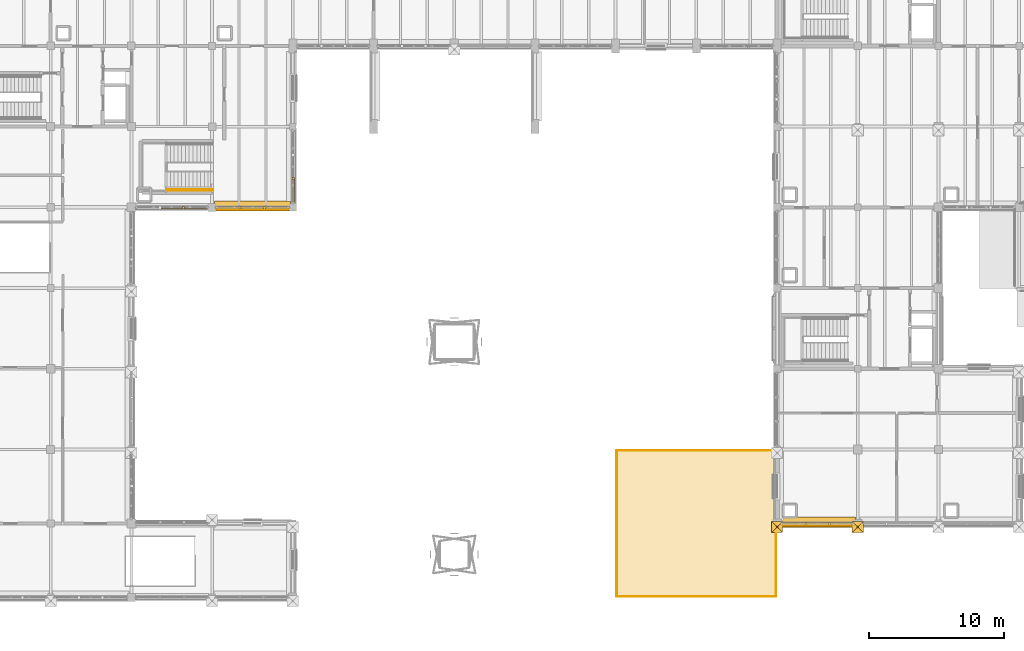
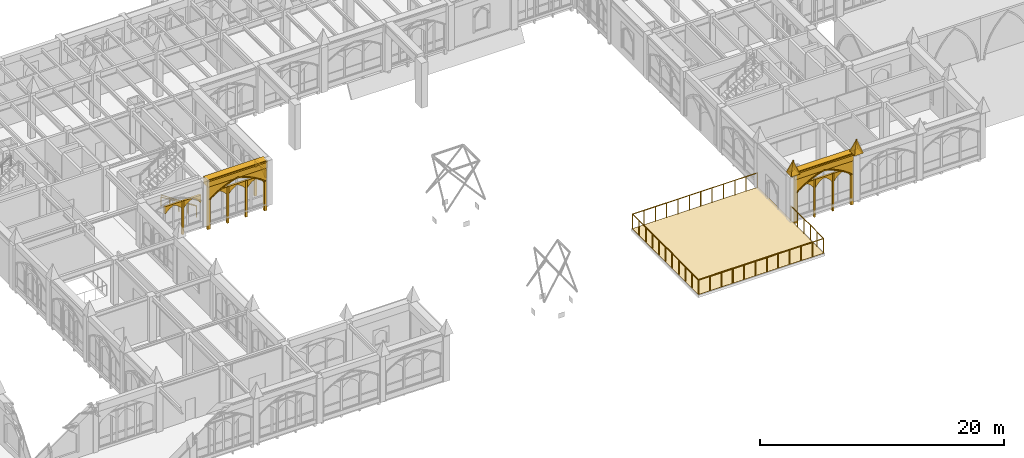
# One storey, part 127 of 143: 32 coverings, 6 railings.
"""IFC4 building model written with IfcOpenShell, lengths in metres."""

import ifcopenshell
import ifcopenshell.guid

model = None  # the IFC model being written
_history = None  # IfcOwnerHistory: only IFC2X3 demands one
_inside = {}  # id of a spatial element -> (the spatial element, [elements in it])
_under = {}  # id of a project, library or spatial element -> (it, [spatial elements below it])
_declared = {}  # id of a project -> (the project, [libraries it declares])
_typed = {}  # id of a type object -> (the type object, [elements of that type])
_made_of = {}  # id of a material, layer set ... -> (it, [elements and type objects made of it])


def new_model(schema):
    """Start an empty IFC model of exactly this schema.

    Asked for "IFC4X3", IfcOpenShell would pick the latest addendum, in which some entities
    have other attributes; the version numbers below select the first issue.
    IFC2X3 requires an IfcOwnerHistory on every rooted entity: one is made here for all.
    """
    global model, _history
    if schema == "IFC4X3":
        model = ifcopenshell.file(schema_version=(4, 3, 0, 0))
    else:
        model = ifcopenshell.file(schema=schema)
    _inside.clear()
    _under.clear()
    _declared.clear()
    _typed.clear()
    _made_of.clear()
    _history = None
    if model.schema == "IFC2X3":
        org = make("IfcOrganization", Name="unknown")
        user = make(
            "IfcPersonAndOrganization",
            ThePerson=make("IfcPerson", FamilyName="unknown"),
            TheOrganization=org,
        )
        app = make(
            "IfcApplication",
            ApplicationDeveloper=org,
            Version="unknown",
            ApplicationFullName="unknown",
            ApplicationIdentifier="unknown",
        )
        _history = make(
            "IfcOwnerHistory",
            OwningUser=user,
            OwningApplication=app,
            ChangeAction="ADDED",
            CreationDate=0,
        )
    return model


def make(cls, **values):
    """One entity of the class cls with the attributes given. An attribute that is None is left unset."""
    return model.create_entity(
        cls, **{name: value for name, value in values.items() if value is not None}
    )


def rooted(cls, **values):
    """An entity with a GlobalId (a new one), such as an element, a storey or a relation."""
    return make(cls, GlobalId=ifcopenshell.guid.new(), OwnerHistory=_history, **values)


def si_unit(unit_type, name, prefix=None):
    """IfcSIUnit, for example si_unit("LENGTHUNIT", "METRE", prefix="MILLI")."""
    return make("IfcSIUnit", UnitType=unit_type, Prefix=prefix, Name=name)


def assignment(units):
    """IfcUnitAssignment: the units of a project."""
    return None if units is None else make("IfcUnitAssignment", Units=units)


def point(xyz):
    """IfcCartesianPoint."""
    return None if xyz is None else make("IfcCartesianPoint", Coordinates=xyz)


def direction(xyz):
    """IfcDirection."""
    return None if xyz is None else make("IfcDirection", DirectionRatios=xyz)


def frame(location, z_axis=None, x_axis=None):
    """IfcAxis2Placement3D, a coordinate frame: its origin and axes. An axis left out is left unset."""
    return make(
        "IfcAxis2Placement3D",
        Location=point(location),
        Axis=direction(z_axis),
        RefDirection=direction(x_axis),
    )


def frame_2d(location, x_axis=None):
    """IfcAxis2Placement2D, a coordinate frame in the plane: its origin and x axis."""
    return make(
        "IfcAxis2Placement2D", Location=point(location), RefDirection=direction(x_axis)
    )


def origin():
    """The frame at (0, 0, 0) with its axes left unset."""
    return frame((0.0, 0.0, 0.0))


def origin_2d():
    """The frame at (0, 0) in the plane with its x axis left unset."""
    return frame_2d((0.0, 0.0))


def place(relative_to, where):
    """IfcLocalPlacement: puts the frame where relative to a parent placement (None: the world)."""
    return make(
        "IfcLocalPlacement", PlacementRelTo=relative_to, RelativePlacement=where
    )


def context(
    kind, dimensions, precision=None, world=None, true_north=None, identifier=None
):
    """IfcGeometricRepresentationContext, for example the 3D "Model" context."""
    return make(
        "IfcGeometricRepresentationContext",
        ContextIdentifier=identifier,
        ContextType=kind,
        CoordinateSpaceDimension=dimensions,
        Precision=precision,
        WorldCoordinateSystem=world,
        TrueNorth=true_north,
    )


def subcontext(parent, identifier, kind, view, scale=None):
    """IfcGeometricRepresentationSubContext, for example "Body" below "Model"."""
    return make(
        "IfcGeometricRepresentationSubContext",
        ContextIdentifier=identifier,
        ContextType=kind,
        ParentContext=parent,
        TargetScale=scale,
        TargetView=view,
    )


def project(units=None, contexts=None):
    """IfcProject with its units and contexts."""
    return rooted(
        "IfcProject",
        Name="project",
        RepresentationContexts=contexts,
        UnitsInContext=assignment(units),
    )


def spatial(cls, under=None, at=None, **own):
    """A site, building, storey or space (cls), placed at a placement, below another one or the project."""
    s = rooted(cls, ObjectPlacement=at, **own)
    if under is not None:
        _under.setdefault(under.id(), (under, []))[1].append(s)
    return s


def polyline(points):
    """IfcPolyline through the points."""
    return make("IfcPolyline", Points=[point(p) for p in points])


def profile(cls, at=None, kind="AREA", **sizes):
    """A parametric profile (cls). Its sizes go by their IFC names, for example OverallWidth=200.0."""
    return make(cls, ProfileType=kind, Position=at, **sizes)


def rectangle(**sizes):
    """IfcRectangleProfileDef."""
    return profile("IfcRectangleProfileDef", **sizes)


def circle(**sizes):
    """IfcCircleProfileDef."""
    return profile("IfcCircleProfileDef", **sizes)


def outline(outer, holes=None, kind="AREA"):
    """IfcArbitraryClosedProfileDef: a profile drawn as a closed curve; with holes, ...WithVoids."""
    if holes is None:
        return make("IfcArbitraryClosedProfileDef", ProfileType=kind, OuterCurve=outer)
    return make(
        "IfcArbitraryProfileDefWithVoids",
        ProfileType=kind,
        OuterCurve=outer,
        InnerCurves=holes,
    )


def extrude(swept, where, along, depth):
    """IfcExtrudedAreaSolid: the profile swept, set in the frame where, extruded along a direction by depth."""
    return make(
        "IfcExtrudedAreaSolid",
        SweptArea=swept,
        Position=where,
        ExtrudedDirection=direction(along),
        Depth=depth,
    )


def shape(context_of_items, identifier, shape_type, items):
    """IfcShapeRepresentation: the items that make up one representation, for example the "Body"."""
    return make(
        "IfcShapeRepresentation",
        ContextOfItems=context_of_items,
        RepresentationIdentifier=identifier,
        RepresentationType=shape_type,
        Items=items,
    )


def material(Name=None, Category=None):
    """IfcMaterial."""
    return make("IfcMaterial", Name=Name, Category=Category)


def made_of(thing, what):
    """Note that an element or type object is made of a material, layer set ...; save() writes the relation."""
    if what is not None:
        _made_of.setdefault(what.id(), (what, []))[1].append(thing)
    return thing


def type_object(cls, material=None, **own):
    """A type object (cls), such as IfcWallType, which elements share."""
    return made_of(rooted(cls, **own), material)


def element(
    cls,
    number,
    at=None,
    inside=None,
    cuts=None,
    type_object=None,
    material=None,
    context=None,
    identifier="Body",
    shape_type=None,
    held_by="IfcProductDefinitionShape",
    body=None,
    shapes=None,
    **own,
):
    """One element of the class cls, such as IfcWall. Its Tag is "e" and its number.

    at: its placement. inside: the storey or other place that contains it. cuts: it is an
    opening in that element (IfcRelVoidsElement). A single representation is given by context,
    identifier, shape_type and body (its items); several are given by shapes. held_by: the class
    of the entity that holds the representations. save() writes the other relations.
    """
    e = rooted(cls, Tag="e%d" % number, ObjectPlacement=at, **own)
    if body is not None:
        shapes = [shape(context, identifier, shape_type, body)]
    if shapes is not None:
        e.Representation = make(held_by, Representations=shapes)
    if inside is not None:
        _inside.setdefault(inside.id(), (inside, []))[1].append(e)
    if cuts is not None:
        rooted(
            "IfcRelVoidsElement", RelatingBuildingElement=cuts, RelatedOpeningElement=e
        )
    if type_object is not None:
        _typed.setdefault(type_object.id(), (type_object, []))[1].append(e)
    return made_of(e, material)


def aggregate(whole, parts):
    """IfcRelAggregates: a whole, such as a stair, and the parts it consists of."""
    return rooted("IfcRelAggregates", RelatingObject=whole, RelatedObjects=parts)


def save(model, path):
    """Write the relations noted so far, then the file.

    IfcRelAggregates (storeys below a building ...), IfcRelContainedInSpatialStructure (elements
    in a storey), IfcRelDefinesByType, IfcRelAssociatesMaterial and IfcRelDeclares: one each for
    every whole, place, type object, material and project.
    """
    for whole, parts in _under.values():
        aggregate(whole, parts)
    for where, things in _inside.values():
        rooted(
            "IfcRelContainedInSpatialStructure",
            RelatedElements=things,
            RelatingStructure=where,
        )
    for kind, things in _typed.values():
        rooted("IfcRelDefinesByType", RelatedObjects=things, RelatingType=kind)
    for what, things in _made_of.values():
        rooted("IfcRelAssociatesMaterial", RelatedObjects=things, RelatingMaterial=what)
    for by, libraries in _declared.values():
        rooted("IfcRelDeclares", RelatingContext=by, RelatedDefinitions=libraries)
    model.write(path)


model = new_model("IFC4")

# Units and contexts
model_context = context("Model", 3, precision=1e-05, world=origin(), true_north=direction((0.0, 1.0)))
body_context = subcontext(model_context, "Body", "Model", "MODEL_VIEW")
ifc_project = project(units=[si_unit("LENGTHUNIT", "METRE"), si_unit("AREAUNIT", "SQUARE_METRE"), si_unit("VOLUMEUNIT", "CUBIC_METRE"), si_unit("PLANEANGLEUNIT", "RADIAN"), si_unit("MASSUNIT", "GRAM", prefix="KILO")], contexts=[model_context])

# Site, building, storey
site_placement = place(None, origin())
site = spatial("IfcSite", under=ifc_project, at=site_placement, CompositionType="ELEMENT")
building_placement = place(site_placement, origin())
building = spatial("IfcBuilding", under=site, at=building_placement, Name="Cumevento Cable Car Station", CompositionType="ELEMENT")
storey_placement = place(building_placement, frame((0.0, 0.0, 9.0)))
storey = spatial("IfcBuildingStorey", under=building, at=storey_placement, Name="L03", CompositionType="ELEMENT", Elevation=9.0)

# Railings
ifc_material_1 = material(Name="Painted Galvanised Architectural Steel", Category="steel")
railing_type_1 = type_object("IfcRailingType", Name="Stair Guardrail GR-S115", PredefinedType="GUARDRAIL", material=ifc_material_1)
railing_1_placement = place(storey_placement, frame((75.97998046875, 34.260009765625, 0.0)))
element("IfcRailing", 1, at=railing_1_placement, inside=storey, type_object=railing_type_1, Name="Stair Outer Guardrail ST-11 F1", PredefinedType="GUARDRAIL", context=body_context, shape_type="SweptSolid", body=[
    extrude(circle(Radius=0.02392578125, at=origin_2d()), frame((0.0, 0.0, 1.1259765625), z_axis=(-0.830896709279, 0.0, 0.556426687452), x_axis=(0.0, -1.0, 0.0)), (0.0, 0.0, 1.0), 4.043701171875),
    extrude(circle(Radius=0.02001953125, at=origin_2d()), origin(), (0.0, 0.0, 1.0), 1.101806640625),
    extrude(circle(Radius=0.02001953125, at=origin_2d()), frame((-0.83984375, 0.0, 0.5625)), (0.0, 0.0, 1.0), 1.101806640625),
    extrude(circle(Radius=0.02001953125, at=origin_2d()), frame((-1.679931640625, 0.0, 1.125)), (0.0, 0.0, 1.0), 1.101806640625),
    extrude(circle(Radius=0.02001953125, at=origin_2d()), frame((-2.52001953125, 0.0, 1.6875)), (0.0, 0.0, 1.0), 1.101806640625),
    extrude(circle(Radius=0.02001953125, at=origin_2d()), frame((-3.35986328125, 0.0, 2.25)), (0.0, 0.0, 1.0), 1.101806640625),
])
ifc_material_2 = material(Name="Brushed Stainless Steel Handrail Tube", Category="steel")
railing_type_2 = type_object("IfcRailingType", Name="Stair Handrail HR-090", PredefinedType="HANDRAIL", material=ifc_material_2)
railing_2_placement = place(storey_placement, frame((75.97998046875, 34.340087890625, 0.17626953125)))
element("IfcRailing", 2, at=railing_2_placement, inside=storey, type_object=railing_type_2, Name="Stair Pitch Handrail ST-11 F1", PredefinedType="HANDRAIL", context=body_context, shape_type="SweptSolid", body=[
    extrude(circle(Radius=0.02099609375, at=origin_2d()), frame((0.0, 0.0, 0.87890625), z_axis=(-0.850606129759, 0.0, 0.525803396734), x_axis=(0.0, -1.0, 0.0)), (0.0, 0.0, 1.0), 3.949951171875),
    extrude(circle(Radius=0.01611328125, at=origin_2d()), origin(), (0.0, 0.0, 1.0), 0.85791015625),
    extrude(circle(Radius=0.01611328125, at=origin_2d()), frame((-0.83984375, 0.0, 0.519287109375)), (0.0, 0.0, 1.0), 0.85791015625),
    extrude(circle(Radius=0.01611328125, at=origin_2d()), frame((-1.679931640625, 0.0, 1.03857421875)), (0.0, 0.0, 1.0), 0.85791015625),
    extrude(circle(Radius=0.01611328125, at=origin_2d()), frame((-2.52001953125, 0.0, 1.5576171875)), (0.0, 0.0, 1.0), 0.85791015625),
    extrude(circle(Radius=0.01611328125, at=origin_2d()), frame((-3.35986328125, 0.0, 2.076904296875)), (0.0, 0.0, 1.0), 0.85791015625),
])
ifc_material_3 = material(Name="Painted Galvanised Architectural Steel", Category="steel")
railing_type_3 = type_object("IfcRailingType", Name="Terrace Guardrail GR-T150 1500", PredefinedType="GUARDRAIL", material=ifc_material_3)
for number, where, name in (
    (3, (106.080078125, 14.919921875, 0.0), "Panoramic Terrace Guardrail GR-T150 #7"),
    (4, (106.080078125, 4.080078125, 0.0), "Panoramic Terrace Guardrail GR-T150 #8"),
):
    element("IfcRailing", number, at=place(storey_placement, frame(where)), inside=storey, type_object=railing_type_3, Name=name, PredefinedType="GUARDRAIL", context=body_context, shape_type="SweptSolid", body=[
        extrude(circle(Radius=0.02490234375, at=origin_2d()), frame((0.0, 0.0, 1.47509765625), z_axis=(1.0, 0.0, 0.0), x_axis=(0.0, 1.0, 0.0)), (0.0, 0.0, 1.0), 11.83984375),
        extrude(circle(Radius=0.02099609375, at=origin_2d()), origin(), (0.0, 0.0, 1.0), 1.449951171875),
        extrude(circle(Radius=0.02099609375, at=origin_2d()), frame((1.076416015625, 0.0, 0.0)), (0.0, 0.0, 1.0), 1.449951171875),
        extrude(circle(Radius=0.02099609375, at=origin_2d()), frame((2.152587890625, 0.0, 0.0)), (0.0, 0.0, 1.0), 1.449951171875),
        extrude(circle(Radius=0.02099609375, at=origin_2d()), frame((3.22900390625, 0.0, 0.0)), (0.0, 0.0, 1.0), 1.449951171875),
        extrude(circle(Radius=0.02099609375, at=origin_2d()), frame((4.305419921875, 0.0, 0.0)), (0.0, 0.0, 1.0), 1.449951171875),
        extrude(circle(Radius=0.02099609375, at=origin_2d()), frame((5.3818359375, 0.0, 0.0)), (0.0, 0.0, 1.0), 1.449951171875),
        extrude(circle(Radius=0.02099609375, at=origin_2d()), frame((6.4580078125, 0.0, 0.0)), (0.0, 0.0, 1.0), 1.449951171875),
        extrude(circle(Radius=0.02099609375, at=origin_2d()), frame((7.534423828125, 0.0, 0.0)), (0.0, 0.0, 1.0), 1.449951171875),
        extrude(circle(Radius=0.02099609375, at=origin_2d()), frame((8.61083984375, 0.0, 0.0)), (0.0, 0.0, 1.0), 1.449951171875),
        extrude(circle(Radius=0.02099609375, at=origin_2d()), frame((9.687255859375, 0.0, 0.0)), (0.0, 0.0, 1.0), 1.449951171875),
        extrude(circle(Radius=0.02099609375, at=origin_2d()), frame((10.763427734375, 0.0, 0.0)), (0.0, 0.0, 1.0), 1.449951171875),
        extrude(circle(Radius=0.02099609375, at=origin_2d()), frame((11.83984375, 0.0, 0.0)), (0.0, 0.0, 1.0), 1.449951171875),
    ])
railing_3_placement = place(storey_placement, frame((106.080078125, 4.080078125, 0.0)))
element("IfcRailing", 5, at=railing_3_placement, inside=storey, type_object=railing_type_3, Name="Panoramic Terrace Guardrail GR-T150 #9", PredefinedType="GUARDRAIL", context=body_context, shape_type="SweptSolid", body=[
    extrude(circle(Radius=0.02490234375, at=origin_2d()), frame((0.0, 0.0, 1.47509765625), z_axis=(0.0, 1.0, 0.0), x_axis=(-1.0, 0.0, 0.0)), (0.0, 0.0, 1.0), 10.83984375),
    extrude(circle(Radius=0.02099609375, at=origin_2d()), origin(), (0.0, 0.0, 1.0), 1.449951171875),
    extrude(circle(Radius=0.02099609375, at=origin_2d()), frame((0.0, 1.083984375, 0.0)), (0.0, 0.0, 1.0), 1.449951171875),
    extrude(circle(Radius=0.02099609375, at=origin_2d()), frame((0.0, 2.16796875, 0.0)), (0.0, 0.0, 1.0), 1.449951171875),
    extrude(circle(Radius=0.02099609375, at=origin_2d()), frame((0.0, 3.251953125, 0.0)), (0.0, 0.0, 1.0), 1.449951171875),
    extrude(circle(Radius=0.02099609375, at=origin_2d()), frame((0.0, 4.3359375, 0.0)), (0.0, 0.0, 1.0), 1.449951171875),
    extrude(circle(Radius=0.02099609375, at=origin_2d()), frame((0.0, 5.419921875, 0.0)), (0.0, 0.0, 1.0), 1.449951171875),
    extrude(circle(Radius=0.02099609375, at=origin_2d()), frame((0.0, 6.50390625, 0.0)), (0.0, 0.0, 1.0), 1.449951171875),
    extrude(circle(Radius=0.02099609375, at=origin_2d()), frame((0.0, 7.587890625, 0.0)), (0.0, 0.0, 1.0), 1.449951171875),
    extrude(circle(Radius=0.02099609375, at=origin_2d()), frame((0.0, 8.671875, 0.0)), (0.0, 0.0, 1.0), 1.449951171875),
    extrude(circle(Radius=0.02099609375, at=origin_2d()), frame((0.0, 9.755859375, 0.0)), (0.0, 0.0, 1.0), 1.449951171875),
    extrude(circle(Radius=0.02099609375, at=origin_2d()), frame((0.0, 10.83984375, 0.0)), (0.0, 0.0, 1.0), 1.449951171875),
])
railing_4_placement = place(storey_placement, frame((117.919921875, 4.080078125, 0.0)))
element("IfcRailing", 6, at=railing_4_placement, inside=storey, type_object=railing_type_3, Name="Panoramic Terrace Guardrail GR-T150 #10", PredefinedType="GUARDRAIL", context=body_context, shape_type="SweptSolid", body=[
    extrude(circle(Radius=0.02490234375, at=origin_2d()), frame((0.0, 0.0, 1.47509765625), z_axis=(0.0, 1.0, 0.0), x_axis=(-1.0, 0.0, 0.0)), (0.0, 0.0, 1.0), 5.33984375),
    extrude(circle(Radius=0.02099609375, at=origin_2d()), origin(), (0.0, 0.0, 1.0), 1.449951171875),
    extrude(circle(Radius=0.02099609375, at=origin_2d()), frame((0.0, 1.06787109375, 0.0)), (0.0, 0.0, 1.0), 1.449951171875),
    extrude(circle(Radius=0.02099609375, at=origin_2d()), frame((0.0, 2.135986328125, 0.0)), (0.0, 0.0, 1.0), 1.449951171875),
    extrude(circle(Radius=0.02099609375, at=origin_2d()), frame((0.0, 3.203857421875, 0.0)), (0.0, 0.0, 1.0), 1.449951171875),
    extrude(circle(Radius=0.02099609375, at=origin_2d()), frame((0.0, 4.27197265625, 0.0)), (0.0, 0.0, 1.0), 1.449951171875),
    extrude(circle(Radius=0.02099609375, at=origin_2d()), frame((0.0, 5.33984375, 0.0)), (0.0, 0.0, 1.0), 1.449951171875),
])

# Coverings
ifc_material_4 = material(Name="Gnaisse Facoidal Stone Ashlar 85 MPa", Category="masonry")
covering_type = type_object("IfcCoveringType", Name="Gnaisse Ashlar Cladding CV-CL01", PredefinedType="CLADDING", material=ifc_material_4)
for number, where, z_axis, x_axis, name in (
    (7, (117.580078125, 9.659912109375, 4.8701171875), (0.0, 0.951573760476, 0.30742052367), (1.0, 0.0, 0.0), "Gothic Buttress Pinnacle Spire Facet 1 bt:118.0:9.5"),
    (8, (118.419921875, 9.659912109375, 4.8701171875), (0.951573760476, 0.0, 0.30742052367), (0.0, -1.0, 0.0), "Gothic Buttress Pinnacle Spire Facet 2 bt:118.0:9.5"),
    (9, (118.419921875, 8.820068359375, 4.8701171875), (0.0, -0.951573760476, 0.30742052367), (-1.0, 0.0, 0.0), "Gothic Buttress Pinnacle Spire Facet 3 bt:118.0:9.5"),
    (10, (117.580078125, 8.820068359375, 4.8701171875), (-0.951573760476, 0.0, 0.30742052367), (0.0, 1.0, 0.0), "Gothic Buttress Pinnacle Spire Facet 4 bt:118.0:9.5"),
    (11, (123.580078125, 9.659912109375, 4.8701171875), (0.0, 0.951573760476, 0.30742052367), (1.0, 0.0, 0.0), "Gothic Buttress Pinnacle Spire Facet 1 bt:124.0:9.5"),
    (12, (124.419921875, 9.659912109375, 4.8701171875), (0.951573760476, 0.0, 0.30742052367), (0.0, -1.0, 0.0), "Gothic Buttress Pinnacle Spire Facet 2 bt:124.0:9.5"),
    (13, (124.419921875, 8.820068359375, 4.8701171875), (0.0, -0.951573760476, 0.30742052367), (-1.0, 0.0, 0.0), "Gothic Buttress Pinnacle Spire Facet 3 bt:124.0:9.5"),
    (14, (123.580078125, 8.820068359375, 4.8701171875), (-0.951573760476, 0.0, 0.30742052367), (0.0, 1.0, 0.0), "Gothic Buttress Pinnacle Spire Facet 4 bt:124.0:9.5"),
):
    element("IfcCovering", number, at=place(storey_placement, frame(where, z_axis=z_axis, x_axis=x_axis)), inside=storey, type_object=covering_type, Name=name, PredefinedType="CLADDING", context=body_context, shape_type="SweptSolid", body=[
        extrude(outline(polyline([(0.0, 0.0), (0.83984375, 0.0), (0.419921875, -1.3659526370817139), (0.0, 0.0)])), origin(), (0.0, 0.0, -1.0), 0.0849609375),
    ])
covering_1_placement = place(storey_placement, frame((79.012451171875, 33.14990234375, 3.7490234375), z_axis=(0.0, 0.0, 1.0), x_axis=(-1.0, 0.0, 0.0)))
element("IfcCovering", 15, at=covering_1_placement, inside=storey, type_object=covering_type, Name="Gothic Stone Spandrel Stringcourse sc:0613", PredefinedType="CLADDING", context=body_context, shape_type="SweptSolid", body=[
    extrude(rectangle(XDim=5.6650390625, YDim=0.659912109375, at=origin_2d()), origin(), (0.0, 0.0, 1.0), 0.7470703125),
])
covering_2_placement = place(storey_placement, frame((79.012451171875, 32.79248046875, 4.365966796875), z_axis=(0.0, 0.0, 1.0), x_axis=(-1.0, 0.0, 0.0)))
element("IfcCovering", 16, at=covering_2_placement, inside=storey, type_object=covering_type, Name="Gothic Cornice Dripstone Lip sc:0613", PredefinedType="CLADDING", context=body_context, shape_type="SweptSolid", body=[
    extrude(rectangle(XDim=5.705078125, YDim=0.114990234375, at=origin_2d()), origin(), (0.0, 0.0, 1.0), 0.1298828125),
])
covering_3_placement = place(storey_placement, frame((121.012451171875, 9.64990234375, 4.032958984375), z_axis=(0.0, 0.0, 1.0), x_axis=(-1.0, 0.0, 0.0)))
element("IfcCovering", 17, at=covering_3_placement, inside=storey, type_object=covering_type, Name="Gothic Stone Spandrel Stringcourse sc:0665", PredefinedType="CLADDING", context=body_context, shape_type="SweptSolid", body=[
    extrude(rectangle(XDim=5.614990234375, YDim=0.659912109375, at=origin_2d()), origin(), (0.0, 0.0, 1.0), 0.7470703125),
])
covering_4_placement = place(storey_placement, frame((121.012451171875, 9.29248046875, 4.650146484375), z_axis=(0.0, 0.0, 1.0), x_axis=(-1.0, 0.0, 0.0)))
element("IfcCovering", 18, at=covering_4_placement, inside=storey, type_object=covering_type, Name="Gothic Cornice Dripstone Lip sc:0665", PredefinedType="CLADDING", context=body_context, shape_type="SweptSolid", body=[
    extrude(rectangle(XDim=5.655029296875, YDim=0.114990234375, at=origin_2d()), origin(), (0.0, 0.0, 1.0), 0.1298828125),
])
covering_5_placement = place(storey_placement, frame((75.699951171875, 33.0, -0.159912109375), z_axis=(0.0, 0.0, 1.0), x_axis=(-1.0, 0.0, 0.0)))
element("IfcCovering", 19, at=covering_5_placement, inside=storey, type_object=covering_type, Name="Gothic Bifora Stone Colonnette cw_ogival:0087 #1", PredefinedType="CLADDING", context=body_context, shape_type="SweptSolid", body=[
    extrude(outline(polyline([(1.7451171875, -0.02001953125), (1.89501953125, -0.02001953125), (1.89501953125, 3.33837890625), (1.7451171875, 3.33837890625), (1.7451171875, -0.02001953125)])), frame((0.0, 0.1279296875, 0.0), z_axis=(0.0, -1.0, 0.0), x_axis=(1.0, 0.0, 0.0)), (0.0, 0.0, 1.0), 0.205078125),
])
for number, where, z_axis, x_axis, name in (
    (20, (75.570068359375, 33.0, 2.445068359375), (0.0, 0.0, 1.0), (-1.0, 0.0, 0.0), "Gothic Ogival Pointed-Arch Stone Spandrel cw_ogival:0087:sub:0"),
    (21, (73.8349609375, 33.0, 2.445068359375), (0.0, 0.0, 1.0), (-1.0, 0.0, 0.0), "Gothic Ogival Pointed-Arch Stone Spandrel cw_ogival:0087:sub:1"),
):
    element("IfcCovering", number, at=place(storey_placement, frame(where, z_axis=z_axis, x_axis=x_axis)), inside=storey, type_object=covering_type, Name=name, PredefinedType="CLADDING", context=body_context, shape_type="SweptSolid", body=[
        extrude(outline(polyline([(-0.02001953125, 0.0), (-0.02001953125, 0.7333984375), (1.6650390625, 0.7333984375), (1.6650390625, 0.0), (1.60498046875, 0.0), (1.5029296875, 0.1337890625), (1.387939453125, 0.256591796875), (1.260986328125, 0.366943359375), (1.12353515625, 0.4638671875), (0.976806640625, 0.546142578125), (0.822509765625, 0.61328125), (0.668212890625, 0.546142578125), (0.521484375, 0.4638671875), (0.384033203125, 0.366943359375), (0.257080078125, 0.256591796875), (0.14208984375, 0.1337890625), (0.0400390625, 0.0), (-0.02001953125, 0.0)])), frame((0.0, 0.1240234375, 0.0), z_axis=(0.0, -1.0, 0.0), x_axis=(1.0, 0.0, 0.0)), (0.0, 0.0, 1.0), 0.199951171875),
    ])
placement_1 = place(storey_placement, frame((81.72509765625, 33.0, -0.52001953125), z_axis=(0.0, 0.0, 1.0), x_axis=(-1.0, 0.0, 0.0)))
element("IfcCovering", 22, at=placement_1, inside=storey, type_object=covering_type, Name="Gothic Ogival Pointed-Arch Stone Spandrel cw_ogival:0088", PredefinedType="CLADDING", context=body_context, shape_type="SweptSolid", body=[
    extrude(outline(polyline([(-0.080078125, 0.0), (-0.080078125, 4.408935546875), (5.5048828125, 4.408935546875), (5.5048828125, 0.0), (5.264892578125, 0.0), (5.264892578125, 3.015380859375), (4.97509765625, 3.219482421875), (4.67529296875, 3.40869140625), (4.366455078125, 3.582763671875), (4.049072265625, 3.740966796875), (3.72412109375, 3.883056640625), (3.392578125, 4.008544921875), (3.05517578125, 4.117431640625), (2.71240234375, 4.208984375), (2.369873046875, 4.117431640625), (2.032470703125, 4.008544921875), (1.700927734375, 3.883056640625), (1.3759765625, 3.740966796875), (1.05859375, 3.582763671875), (0.749755859375, 3.40869140625), (0.449951171875, 3.219482421875), (0.159912109375, 3.015380859375), (0.159912109375, 0.0), (-0.080078125, 0.0)])), frame((0.0, 0.139892578125, 0.0), z_axis=(0.0, -1.0, 0.0), x_axis=(1.0, 0.0, 0.0)), (0.0, 0.0, 1.0), 0.219970703125),
])
covering_7_placement = place(storey_placement, frame((81.72509765625, 33.0, 2.495361328125), z_axis=(0.0, 0.0, 1.0), x_axis=(-1.0, 0.0, 0.0)))
element("IfcCovering", 23, at=covering_7_placement, inside=storey, type_object=covering_type, Name="Gothic Pointed Archivolt Hood Moulding cw_ogival:0088", PredefinedType="CLADDING", context=body_context, shape_type="SweptSolid", body=[
    extrude(outline(polyline([(0.159912109375, 0.0), (0.449951171875, 0.2041015625), (0.749755859375, 0.393310546875), (1.05859375, 0.5673828125), (1.3759765625, 0.7255859375), (1.700927734375, 0.86767578125), (2.032470703125, 0.9931640625), (2.369873046875, 1.10205078125), (2.71240234375, 1.193603515625), (3.05517578125, 1.10205078125), (3.392578125, 0.9931640625), (3.72412109375, 0.86767578125), (4.049072265625, 0.7255859375), (4.366455078125, 0.5673828125), (4.67529296875, 0.393310546875), (4.97509765625, 0.2041015625), (5.264892578125, 0.0), (5.375, 0.0), (5.07666015625, 0.22705078125), (4.7666015625, 0.437744140625), (4.44580078125, 0.631591796875), (4.114990234375, 0.80810546875), (3.775390625, 0.966796875), (3.427734375, 1.10693359375), (3.0732421875, 1.228515625), (2.71240234375, 1.3310546875), (2.351806640625, 1.228515625), (1.997314453125, 1.10693359375), (1.649658203125, 0.966796875), (1.31005859375, 0.80810546875), (0.979248046875, 0.631591796875), (0.658447265625, 0.437744140625), (0.348388671875, 0.22705078125), (0.050048828125, 0.0), (0.159912109375, 0.0)])), frame((0.0, 0.181884765625, 0.0), z_axis=(0.0, -1.0, 0.0), x_axis=(1.0, 0.0, 0.0)), (0.0, 0.0, 1.0), 0.06689453125),
])
element("IfcCovering", 24, at=placement_1, inside=storey, type_object=covering_type, Name="Gothic Bifora Stone Colonnette cw_ogival:0088 #1", PredefinedType="CLADDING", context=body_context, shape_type="SweptSolid", body=[
    extrude(outline(polyline([(1.76171875, -0.02001953125), (1.91162109375, -0.02001953125), (1.91162109375, 3.635986328125), (1.76171875, 3.635986328125), (1.76171875, -0.02001953125)])), frame((0.0, 0.1279296875, 0.0), z_axis=(0.0, -1.0, 0.0), x_axis=(1.0, 0.0, 0.0)), (0.0, 0.0, 1.0), 0.205078125),
])
element("IfcCovering", 25, at=placement_1, inside=storey, type_object=covering_type, Name="Gothic Bifora Stone Colonnette cw_ogival:0088 #2", PredefinedType="CLADDING", context=body_context, shape_type="SweptSolid", body=[
    extrude(outline(polyline([(3.513427734375, -0.02001953125), (3.663330078125, -0.02001953125), (3.663330078125, 3.635986328125), (3.513427734375, 3.635986328125), (3.513427734375, -0.02001953125)])), frame((0.0, 0.1279296875, 0.0), z_axis=(0.0, -1.0, 0.0), x_axis=(1.0, 0.0, 0.0)), (0.0, 0.0, 1.0), 0.205078125),
])
for number, where, z_axis, x_axis, name in (
    (26, (81.594970703125, 33.0, 2.3154296875), (0.0, 0.0, 1.0), (-1.0, 0.0, 0.0), "Gothic Ogival Pointed-Arch Stone Spandrel cw_ogival:0088:sub:0"),
    (27, (79.84326171875, 33.0, 2.3154296875), (0.0, 0.0, 1.0), (-1.0, 0.0, 0.0), "Gothic Ogival Pointed-Arch Stone Spandrel cw_ogival:0088:sub:1"),
    (28, (78.091552734375, 33.0, 2.3154296875), (0.0, 0.0, 1.0), (-1.0, 0.0, 0.0), "Gothic Ogival Pointed-Arch Stone Spandrel cw_ogival:0088:sub:2"),
):
    element("IfcCovering", number, at=place(storey_placement, frame(where, z_axis=z_axis, x_axis=x_axis)), inside=storey, type_object=covering_type, Name=name, PredefinedType="CLADDING", context=body_context, shape_type="SweptSolid", body=[
        extrude(outline(polyline([(-0.02001953125, 0.0), (-0.02001953125, 0.80078125), (1.681640625, 0.80078125), (1.681640625, 0.0), (1.62158203125, 0.0), (1.5234375, 0.147216796875), (1.409912109375, 0.282958984375), (1.2822265625, 0.405517578125), (1.14208984375, 0.513427734375), (0.990966796875, 0.605712890625), (0.830810546875, 0.6806640625), (0.670654296875, 0.605712890625), (0.51953125, 0.513427734375), (0.37939453125, 0.405517578125), (0.251708984375, 0.282958984375), (0.13818359375, 0.147216796875), (0.0400390625, 0.0), (-0.02001953125, 0.0)])), frame((0.0, 0.1240234375, 0.0), z_axis=(0.0, -1.0, 0.0), x_axis=(1.0, 0.0, 0.0)), (0.0, 0.0, 1.0), 0.199951171875),
    ])
covering_10_placement = place(storey_placement, frame((82.0, 38.75, -0.469970703125), z_axis=(0.0, 0.0, 1.0), x_axis=(0.0, -1.0, 0.0)))
element("IfcCovering", 29, at=covering_10_placement, inside=storey, type_object=covering_type, Name="Gothic Bifora Stone Colonnette cw_ogival:0089 #2", PredefinedType="CLADDING", context=body_context, shape_type="SweptSolid", body=[
    extrude(outline(polyline([(3.546630859375, -0.02001953125), (3.69677734375, -0.02001953125), (3.69677734375, 3.5947265625), (3.546630859375, 3.5947265625), (3.546630859375, -0.02001953125)])), frame((0.0, 0.1279296875, 0.0), z_axis=(0.0, -1.0, 0.0), x_axis=(1.0, 0.0, 0.0)), (0.0, 0.0, 1.0), 0.205078125),
])
covering_11_placement = place(storey_placement, frame((82.0, 35.083251953125, 2.33349609375), z_axis=(0.0, 0.0, 1.0), x_axis=(0.0, -1.0, 0.0)))
element("IfcCovering", 30, at=covering_11_placement, inside=storey, type_object=covering_type, Name="Gothic Ogival Pointed-Arch Stone Spandrel cw_ogival:0089:sub:2", PredefinedType="CLADDING", context=body_context, shape_type="SweptSolid", body=[
    extrude(outline(polyline([(-0.02001953125, 0.0), (-0.02001953125, 0.791259765625), (1.6982421875, 0.791259765625), (1.6982421875, 0.0), (1.638427734375, 0.0), (1.53759765625, 0.1455078125), (1.422119140625, 0.279541015625), (1.29296875, 0.400390625), (1.151611328125, 0.5068359375), (0.999755859375, 0.597412109375), (0.839111328125, 0.67138671875), (0.678466796875, 0.597412109375), (0.526611328125, 0.5068359375), (0.38525390625, 0.400390625), (0.256103515625, 0.279541015625), (0.140625, 0.1455078125), (0.0400390625, 0.0), (-0.02001953125, 0.0)])), frame((0.0, 0.1240234375, 0.0), z_axis=(0.0, -1.0, 0.0), x_axis=(1.0, 0.0, 0.0)), (0.0, 0.0, 1.0), 0.199951171875),
])
placement_2 = place(storey_placement, frame((123.699951171875, 9.5, -0.3701171875), z_axis=(0.0, 0.0, 1.0), x_axis=(-1.0, 0.0, 0.0)))
element("IfcCovering", 31, at=placement_2, inside=storey, type_object=covering_type, Name="Gothic Ogival Pointed-Arch Stone Spandrel cw_ogival:0123", PredefinedType="CLADDING", context=body_context, shape_type="SweptSolid", body=[
    extrude(outline(polyline([(-0.080078125, 0.0), (-0.080078125, 4.54296875), (5.455078125, 4.54296875), (5.455078125, 0.0), (5.215087890625, 0.0), (5.215087890625, 3.10107421875), (4.9306640625, 3.31298828125), (4.6357421875, 3.509765625), (4.330810546875, 3.690673828125), (4.0166015625, 3.855224609375), (3.694580078125, 4.003173828125), (3.364990234375, 4.134033203125), (3.029052734375, 4.247314453125), (2.6875, 4.343017578125), (2.345947265625, 4.247314453125), (2.010009765625, 4.134033203125), (1.680419921875, 4.003173828125), (1.3583984375, 3.855224609375), (1.044189453125, 3.690673828125), (0.7392578125, 3.509765625), (0.4443359375, 3.31298828125), (0.159912109375, 3.10107421875), (0.159912109375, 0.0), (-0.080078125, 0.0)])), frame((0.0, 0.139892578125, 0.0), z_axis=(0.0, -1.0, 0.0), x_axis=(1.0, 0.0, 0.0)), (0.0, 0.0, 1.0), 0.219970703125),
])
covering_13_placement = place(storey_placement, frame((123.699951171875, 9.5, 2.731201171875), z_axis=(0.0, 0.0, 1.0), x_axis=(-1.0, 0.0, 0.0)))
element("IfcCovering", 32, at=covering_13_placement, inside=storey, type_object=covering_type, Name="Gothic Pointed Archivolt Hood Moulding cw_ogival:0123", PredefinedType="CLADDING", context=body_context, shape_type="SweptSolid", body=[
    extrude(outline(polyline([(0.159912109375, 0.0), (0.4443359375, 0.2119140625), (0.7392578125, 0.40869140625), (1.044189453125, 0.589599609375), (1.3583984375, 0.754150390625), (1.680419921875, 0.902099609375), (2.010009765625, 1.032958984375), (2.345947265625, 1.146240234375), (2.6875, 1.241943359375), (3.029052734375, 1.146240234375), (3.364990234375, 1.032958984375), (3.694580078125, 0.902099609375), (4.0166015625, 0.754150390625), (4.330810546875, 0.589599609375), (4.6357421875, 0.40869140625), (4.9306640625, 0.2119140625), (5.215087890625, 0.0), (5.324951171875, 0.0), (5.032470703125, 0.234619140625), (4.727294921875, 0.45263671875), (4.410400390625, 0.653564453125), (4.0830078125, 0.83642578125), (3.745849609375, 1.0009765625), (3.400390625, 1.146728515625), (3.047119140625, 1.27294921875), (2.6875, 1.37939453125), (2.327880859375, 1.27294921875), (1.974609375, 1.146728515625), (1.629150390625, 1.0009765625), (1.2919921875, 0.83642578125), (0.964599609375, 0.653564453125), (0.647705078125, 0.45263671875), (0.342529296875, 0.234619140625), (0.050048828125, 0.0), (0.159912109375, 0.0)])), frame((0.0, 0.181884765625, 0.0), z_axis=(0.0, -1.0, 0.0), x_axis=(1.0, 0.0, 0.0)), (0.0, 0.0, 1.0), 0.06689453125),
])
element("IfcCovering", 33, at=placement_2, inside=storey, type_object=covering_type, Name="Gothic Bifora Stone Colonnette cw_ogival:0123 #1", PredefinedType="CLADDING", context=body_context, shape_type="SweptSolid", body=[
    extrude(outline(polyline([(1.7451171875, -0.02001953125), (1.89501953125, -0.02001953125), (1.89501953125, 3.746826171875), (1.7451171875, 3.746826171875), (1.7451171875, -0.02001953125)])), frame((0.0, 0.1279296875, 0.0), z_axis=(0.0, -1.0, 0.0), x_axis=(1.0, 0.0, 0.0)), (0.0, 0.0, 1.0), 0.205078125),
])
element("IfcCovering", 34, at=placement_2, inside=storey, type_object=covering_type, Name="Gothic Bifora Stone Colonnette cw_ogival:0123 #2", PredefinedType="CLADDING", context=body_context, shape_type="SweptSolid", body=[
    extrude(outline(polyline([(3.47998046875, -0.02001953125), (3.6298828125, -0.02001953125), (3.6298828125, 3.746826171875), (3.47998046875, 3.746826171875), (3.47998046875, -0.02001953125)])), frame((0.0, 0.1279296875, 0.0), z_axis=(0.0, -1.0, 0.0), x_axis=(1.0, 0.0, 0.0)), (0.0, 0.0, 1.0), 0.205078125),
])
for number, where, z_axis, x_axis, name in (
    (35, (123.570068359375, 9.5, 2.551025390625), (0.0, 0.0, 1.0), (-1.0, 0.0, 0.0), "Gothic Ogival Pointed-Arch Stone Spandrel cw_ogival:0123:sub:0"),
    (36, (121.8349609375, 9.5, 2.551025390625), (0.0, 0.0, 1.0), (-1.0, 0.0, 0.0), "Gothic Ogival Pointed-Arch Stone Spandrel cw_ogival:0123:sub:1"),
    (37, (120.10009765625, 9.5, 2.551025390625), (0.0, 0.0, 1.0), (-1.0, 0.0, 0.0), "Gothic Ogival Pointed-Arch Stone Spandrel cw_ogival:0123:sub:2"),
):
    element("IfcCovering", number, at=place(storey_placement, frame(where, z_axis=z_axis, x_axis=x_axis)), inside=storey, type_object=covering_type, Name=name, PredefinedType="CLADDING", context=body_context, shape_type="SweptSolid", body=[
        extrude(outline(polyline([(-0.02001953125, 0.0), (-0.02001953125, 0.82568359375), (1.6650390625, 0.82568359375), (1.6650390625, 0.0), (1.60498046875, 0.0), (1.5107421875, 0.152099609375), (1.39990234375, 0.29248046875), (1.27392578125, 0.419677734375), (1.134521484375, 0.53173828125), (0.9833984375, 0.62744140625), (0.822509765625, 0.705810546875), (0.66162109375, 0.62744140625), (0.510498046875, 0.53173828125), (0.37109375, 0.419677734375), (0.2451171875, 0.29248046875), (0.13427734375, 0.152099609375), (0.0400390625, 0.0), (-0.02001953125, 0.0)])), frame((0.0, 0.1240234375, 0.0), z_axis=(0.0, -1.0, 0.0), x_axis=(1.0, 0.0, 0.0)), (0.0, 0.0, 1.0), 0.199951171875),
    ])
covering_16_placement = place(storey_placement, frame((0.0, 0.0, -0.0048828125)))
element("IfcCovering", 38, at=covering_16_placement, inside=storey, type_object=covering_type, Name="Gnaisse Stone Terrace Parterre Paving #3.1", PredefinedType="CLADDING", context=body_context, shape_type="SweptSolid", body=[
    extrude(outline(polyline([(106.06005859375, 14.93994140625), (117.93994140625, 14.93994140625), (117.93994140625, 4.06005859375), (106.06005859375, 4.06005859375), (106.06005859375, 14.93994140625)])), origin(), (0.0, 0.0, 1.0), 0.02294921875),
])

save(model, "model.ifc")
